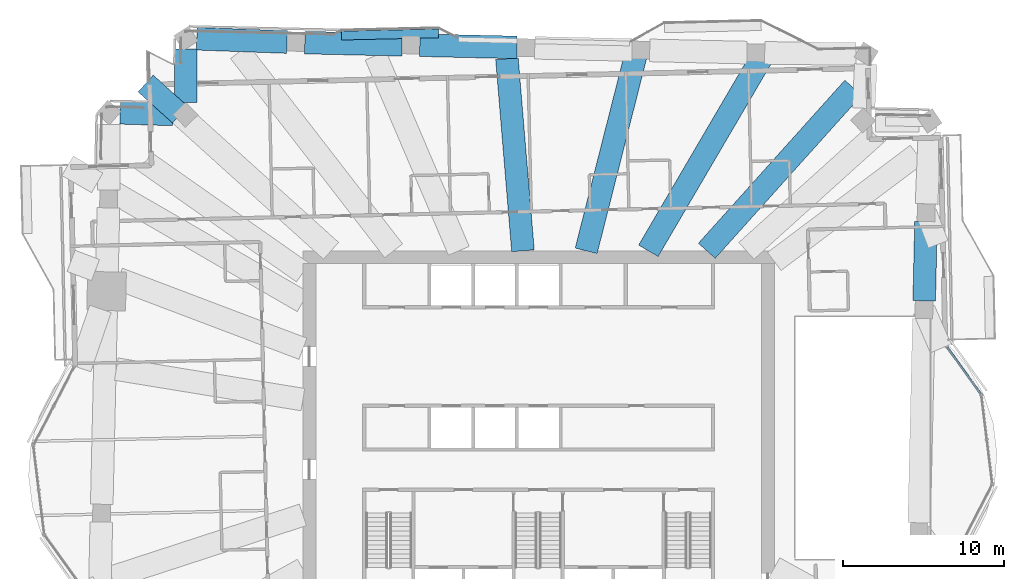
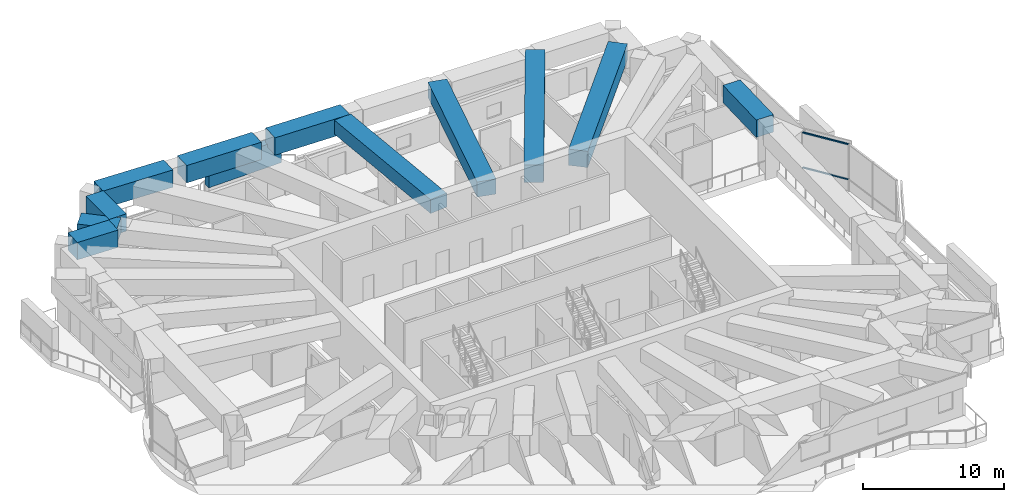
# One storey, part 6 of 19: 11 beams, 3 members, 1 element without a shape of its own.
"""IFC4 building model written with IfcOpenShell, lengths in metres."""

from ifc_helpers import new_model, si_unit, direction, frame, origin, origin_2d, place, context, subcontext, project, spatial, rectangle, extrude, material, material_profile, profile_set, type_object, element, aggregate, save


model = new_model("IFC4")

# Units and contexts
model_context = context("Model", 3, precision=1e-05, world=origin(), true_north=direction((0.0, 1.0)))
body_context = subcontext(model_context, "Body", "Model", "MODEL_VIEW")
ifc_project = project(units=[si_unit("LENGTHUNIT", "METRE"), si_unit("AREAUNIT", "SQUARE_METRE"), si_unit("VOLUMEUNIT", "CUBIC_METRE"), si_unit("PLANEANGLEUNIT", "RADIAN"), si_unit("MASSUNIT", "GRAM", prefix="KILO")], contexts=[model_context])

# Site, building, storey
site_placement = place(None, origin())
site = spatial("IfcSite", under=ifc_project, at=site_placement, CompositionType="ELEMENT")
building_placement = place(site_placement, origin())
building = spatial("IfcBuilding", under=site, at=building_placement, Name="Mangrove Gate Tower", CompositionType="ELEMENT")
storey_placement = place(building_placement, frame((0.0, 0.0, 226.5)))
storey = spatial("IfcBuildingStorey", under=building, at=storey_placement, Name="L57", CompositionType="ELEMENT", Elevation=226.5)

# Member
ifc_material_1 = material(Name="Planting on aluminium trellis", Category="aluminium")
ifc_material_profile_1 = material_profile(ifc_material_1, rectangle(XDim=0.550048828125, YDim=2.0, at=origin_2d()))
ifc_profile_set_1 = profile_set([ifc_material_profile_1], Name="Planting on aluminium trellis")
member_type_1 = type_object("IfcMemberType", Name="Balcony greenery screen 550x2000", PredefinedType="USERDEFINED", material=ifc_profile_set_1)
member_1_placement = place(storey_placement, frame((-12.2060546875, 24.930908203125, 1.800048828125), z_axis=(0.999743094499, 0.022665943652, 0.0), x_axis=(-0.022665943652, 0.999743094499, 0.0)))
element("IfcMember", 1, at=member_1_placement, inside=storey, type_object=member_type_1, Name="GREEN SCREEN L57 N1.1", ObjectType="PLANTING", PredefinedType="USERDEFINED", context=body_context, shape_type="SweptSolid", body=[
    extrude(rectangle(XDim=0.550048828125, YDim=2.0, at=origin_2d()), origin(), (0.0, 0.0, 1.0), 5.99951171875),
])

# Curtain wall, members
ifc_material_2 = material(Name="Aluminium and glass curtain wall", Category="aluminium")
curtain_wall_type = type_object("IfcCurtainWallType", Name="Sky-lounge glazing wall", PredefinedType="NOTDEFINED", material=ifc_material_2)
curtain_wall_placement = place(storey_placement, origin())
curtain_wall = element("IfcCurtainWall", 2, at=curtain_wall_placement, inside=storey, type_object=curtain_wall_type, Name="Sky-lounge glazing E1f3", PredefinedType="NOTDEFINED")
ifc_material_3 = material(Name="Aluminium alloy 6063-T6", Category="aluminium")
ifc_material_profile_2 = material_profile(ifc_material_3, rectangle(XDim=0.06005859375, YDim=0.139892578125, at=origin_2d()))
ifc_profile_set_2 = profile_set([ifc_material_profile_2], Name="Aluminium alloy 6063-T6")
member_type_2 = type_object("IfcMemberType", Name="Sky-lounge glazing transom 60x140", PredefinedType="USERDEFINED", material=ifc_profile_set_2)
member_2_placement = place(storey_placement, frame((27.385009765625, 2.730712890625, 1.0), z_axis=(-0.583821455269, 0.811882077871, 0.0), x_axis=(0.0, 0.0, 1.0)))
member_2 = element("IfcMember", 3, at=member_2_placement, type_object=member_type_2, Name="CWK transom 1.2", ObjectType="TRANSOM", PredefinedType="USERDEFINED", context=body_context, shape_type="SweptSolid", body=[
    extrude(rectangle(XDim=0.06005859375, YDim=0.139892578125, at=origin_2d()), origin(), (0.0, 0.0, 1.0), 3.55419921875),
])
member_3_placement = place(storey_placement, frame((27.385009765625, 2.730712890625, 4.02001953125), z_axis=(-0.583821455269, 0.811882077871, 0.0), x_axis=(0.0, 0.0, 1.0)))
member_3 = element("IfcMember", 4, at=member_3_placement, type_object=member_type_2, Name="CWK transom 1.3", ObjectType="TRANSOM", PredefinedType="USERDEFINED", context=body_context, shape_type="SweptSolid", body=[
    extrude(rectangle(XDim=0.06005859375, YDim=0.139892578125, at=origin_2d()), origin(), (0.0, 0.0, 1.0), 3.55419921875),
])
aggregate(curtain_wall, [member_2, member_3])

# Beams
ifc_material_4 = material(Name="Concrete C60/75", Category="concrete")
ifc_material_profile_3 = material_profile(ifc_material_4, rectangle(XDim=1.39990234375, YDim=1.199951171875, at=origin_2d()))
ifc_profile_set_3 = profile_set([ifc_material_profile_3], Name="Concrete C60/75")
beam_type_1 = type_object("IfcBeamType", Name="Transfer girder RC 1400x1200 C60/75", PredefinedType="BEAM", material=ifc_profile_set_3)
beam_1_placement = place(storey_placement, frame((-0.96826171875, 11.60009765625, 3.449951171875), z_axis=(-0.083187636703, 0.996533901631, 0.0), x_axis=(-0.996533901631, -0.083187636703, 0.0)))
element("IfcBeam", 5, at=beam_1_placement, inside=storey, type_object=beam_type_1, Name="Transfer girder L57 22", PredefinedType="BEAM", context=body_context, shape_type="SweptSolid", body=[
    extrude(rectangle(XDim=1.39990234375, YDim=1.199951171875, at=origin_2d()), origin(), (0.0, 0.0, 1.0), 11.938720703125),
])
ifc_material_5 = material(Name="Concrete C60/75", Category="concrete")
ifc_material_profile_4 = material_profile(ifc_material_5, rectangle(XDim=1.39990234375, YDim=1.300048828125, at=origin_2d()))
ifc_profile_set_4 = profile_set([ifc_material_profile_4], Name="Concrete C60/75")
beam_type_2 = type_object("IfcBeamType", Name="Transfer girder RC 1400x1300 C60/75", PredefinedType="BEAM", material=ifc_profile_set_4)
beam_2_placement = place(storey_placement, frame((2.945556640625, 11.60009765625, 3.39990234375), z_axis=(0.24610360692, 0.969243527015, 0.0), x_axis=(-0.969243527015, 0.24610360692, 0.0)))
element("IfcBeam", 6, at=beam_2_placement, inside=storey, type_object=beam_type_2, Name="Transfer girder L57 21", PredefinedType="BEAM", context=body_context, shape_type="SweptSolid", body=[
    extrude(rectangle(XDim=1.39990234375, YDim=1.300048828125, at=origin_2d()), origin(), (0.0, 0.0, 1.0), 12.825927734375),
])
beam_3_placement = place(storey_placement, frame((-22.20556640625, 20.035400390625, 3.39990234375), z_axis=(-0.742452891996, 0.669898278223, 0.0), x_axis=(-0.669898278223, -0.742452891996, 0.0)))
element("IfcBeam", 7, at=beam_3_placement, inside=storey, type_object=beam_type_2, Name="Transfer cantilever girder L57 25", PredefinedType="BEAM", context=body_context, shape_type="SweptSolid", body=[
    extrude(rectangle(XDim=1.39990234375, YDim=1.300048828125, at=origin_2d()), origin(), (0.0, 0.0, 1.0), 2.87353515625),
])
ifc_material_6 = material(Name="Concrete C60/75", Category="concrete")
ifc_material_profile_5 = material_profile(ifc_material_6, rectangle(XDim=1.39990234375, YDim=1.39990234375, at=origin_2d()))
ifc_profile_set_5 = profile_set([ifc_material_profile_5], Name="Concrete C60/75")
beam_type_3 = type_object("IfcBeamType", Name="Transfer girder RC 1400x1400 C60/75", PredefinedType="BEAM", material=ifc_profile_set_5)
beam_4_placement = place(storey_placement, frame((10.419189453125, 11.60009765625, 3.35009765625), z_axis=(0.668232050771, 0.743952905984, 0.0), x_axis=(-0.743952905984, 0.668232050771, 0.0)))
element("IfcBeam", 8, at=beam_4_placement, inside=storey, type_object=beam_type_3, Name="Transfer girder L57 19", PredefinedType="BEAM", context=body_context, shape_type="SweptSolid", body=[
    extrude(rectangle(XDim=1.39990234375, YDim=1.39990234375, at=origin_2d()), origin(), (0.0, 0.0, 1.0), 13.573974609375),
])
ifc_material_7 = material(Name="Concrete C60/75", Category="concrete")
ifc_material_profile_6 = material_profile(ifc_material_7, rectangle(XDim=1.39990234375, YDim=1.5, at=origin_2d()))
ifc_profile_set_6 = profile_set([ifc_material_profile_6], Name="Concrete C60/75")
beam_type_4 = type_object("IfcBeamType", Name="Transfer girder RC 1400x1500 C60/75", PredefinedType="BEAM", material=ifc_profile_set_6)
beam_5_placement = place(storey_placement, frame((23.8837890625, 8.499267578125, 3.300048828125), z_axis=(0.022765440356, 0.999740833779, 0.0), x_axis=(-0.999740833779, 0.022765440356, 0.0)))
element("IfcBeam", 9, at=beam_5_placement, inside=storey, type_object=beam_type_4, Name="Transfer ring girder L57 15", PredefinedType="BEAM", context=body_context, shape_type="SweptSolid", body=[
    extrude(rectangle(XDim=1.39990234375, YDim=1.5, at=origin_2d()), origin(), (0.0, 0.0, 1.0), 4.91162109375),
])
for number, where, z_axis, x_axis, name in (
    (10, (-1.33837890625, 24.19970703125, 3.300048828125), (-0.999741479717, 0.022737056396, 0.0), (-0.022737056396, -0.999741479717, 0.0), "Transfer ring girder L57 22"),
    (11, (-8.46044921875, 24.361572265625, 3.300048828125), (-0.999744236189, 0.022615530214, 0.0), (-0.022615530214, -0.999744236189, 0.0), "Transfer ring girder L57 23"),
):
    element("IfcBeam", number, at=place(storey_placement, frame(where, z_axis=z_axis, x_axis=x_axis)), inside=storey, type_object=beam_type_4, Name=name, PredefinedType="BEAM", context=body_context, shape_type="SweptSolid", body=[
        extrude(rectangle(XDim=1.39990234375, YDim=1.5, at=origin_2d()), origin(), (0.0, 0.0, 1.0), 6.023681640625),
    ])
beam_6_placement = place(storey_placement, frame((-15.582275390625, 24.5302734375, 3.300048828125), z_axis=(-0.999333407376, 0.036506724074, 0.0), x_axis=(-0.036506724074, -0.999333407376, 0.0)))
element("IfcBeam", 12, at=beam_6_placement, inside=storey, type_object=beam_type_4, Name="Transfer ring girder L57 24", PredefinedType="BEAM", context=body_context, shape_type="SweptSolid", body=[
    extrude(rectangle(XDim=1.39990234375, YDim=1.5, at=origin_2d()), origin(), (0.0, 0.0, 1.0), 5.597412109375),
])
beam_7_placement = place(storey_placement, frame((-21.8486328125, 24.103271484375, 3.300048828125), z_axis=(-0.005526405917, -0.999984729302, 0.0), x_axis=(0.999984729302, -0.005526405917, 0.0)))
element("IfcBeam", 13, at=beam_7_placement, inside=storey, type_object=beam_type_4, Name="Transfer ring girder L57 25", PredefinedType="BEAM", context=body_context, shape_type="SweptSolid", body=[
    extrude(rectangle(XDim=1.39990234375, YDim=1.5, at=origin_2d()), origin(), (0.0, 0.0, 1.0), 3.313232421875),
])
beam_8_placement = place(storey_placement, frame((-22.642822265625, 20.048583984375, 3.300048828125), z_axis=(-0.999548316967, 0.030052654614, 0.0), x_axis=(-0.030052654614, -0.999548316967, 0.0)))
element("IfcBeam", 14, at=beam_8_placement, inside=storey, type_object=beam_type_4, Name="Transfer ring girder L57 26", PredefinedType="BEAM", context=body_context, shape_type="SweptSolid", body=[
    extrude(rectangle(XDim=1.39990234375, YDim=1.5, at=origin_2d()), origin(), (0.0, 0.0, 1.0), 3.281982421875),
])
beam_9_placement = place(storey_placement, frame((6.800048828125, 11.60009765625, 3.300048828125), z_axis=(0.505728759917, 0.862692541635, 0.0), x_axis=(-0.862692541635, 0.505728759917, 0.0)))
element("IfcBeam", 15, at=beam_9_placement, inside=storey, type_object=beam_type_4, Name="Transfer girder L57 20", PredefinedType="BEAM", context=body_context, shape_type="SweptSolid", body=[
    extrude(rectangle(XDim=1.39990234375, YDim=1.5, at=origin_2d()), origin(), (0.0, 0.0, 1.0), 14.208740234375),
])

save(model, "model.ifc")
